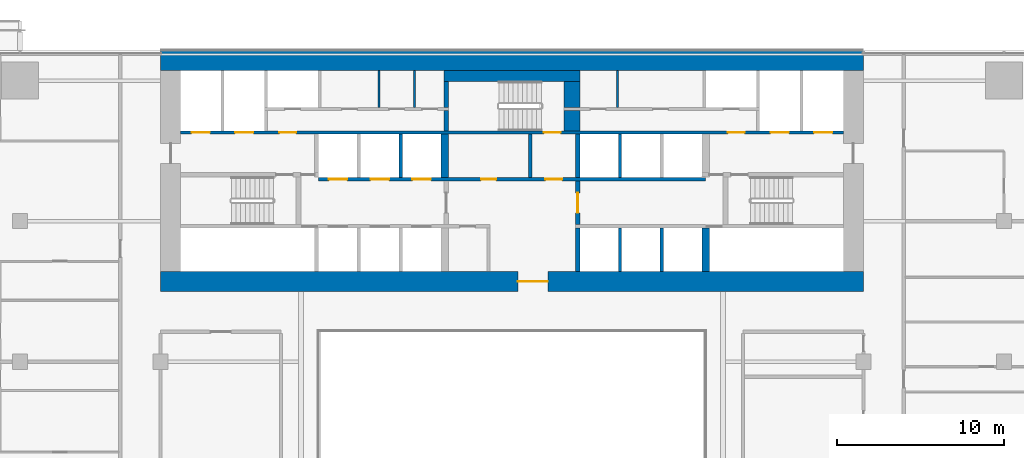
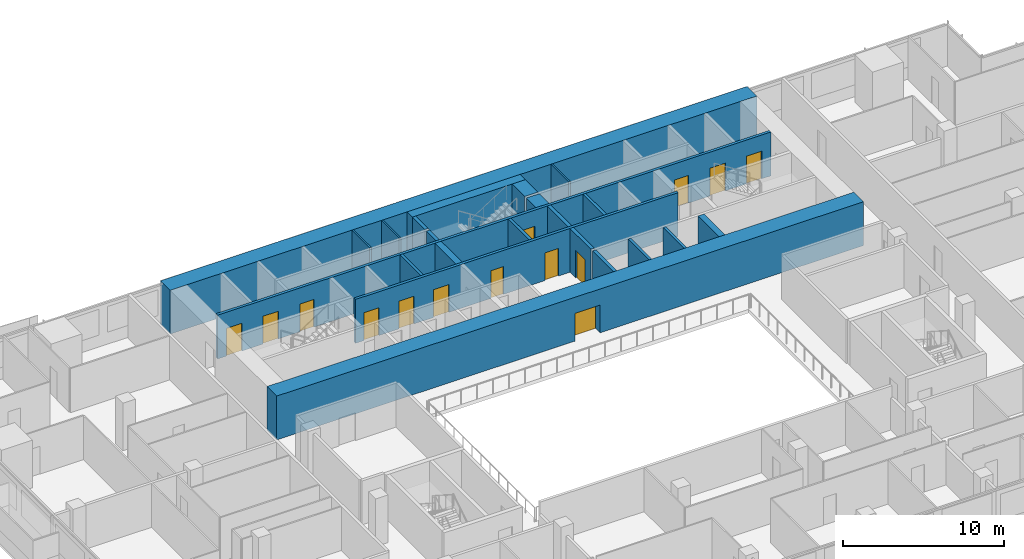
# One storey, part 21 of 29: 22 walls, 14 doors, 14 openings.
"""IFC4 building model written with IfcOpenShell, lengths in metres."""

from ifc_helpers import new_model, si_unit, direction, frame, frame_2d, origin, place, context, subcontext, project, spatial, rectangle, extrude, material, layer, layer_set, type_object, element, fill, save


model = new_model("IFC4")

# Units and contexts
model_context = context("Model", 3, precision=1e-05, world=origin(), true_north=direction((0.0, 1.0)))
body_context = subcontext(model_context, "Body", "Model", "MODEL_VIEW")
ifc_project = project(units=[si_unit("LENGTHUNIT", "METRE"), si_unit("AREAUNIT", "SQUARE_METRE"), si_unit("VOLUMEUNIT", "CUBIC_METRE"), si_unit("PLANEANGLEUNIT", "RADIAN"), si_unit("MASSUNIT", "GRAM", prefix="KILO")], contexts=[model_context])

# Site, building, storey
site_placement = place(None, origin())
site = spatial("IfcSite", under=ifc_project, at=site_placement, CompositionType="ELEMENT")
building_placement = place(site_placement, origin())
building = spatial("IfcBuilding", under=site, at=building_placement, Name="Saffron Gate Tower", CompositionType="ELEMENT")
storey_placement = place(building_placement, frame((0.0, 0.0, 48.0)))
storey = spatial("IfcBuildingStorey", under=building, at=storey_placement, Name="L10", CompositionType="ELEMENT", Elevation=48.0)

# Wall, opening, door
ifc_material_1 = material(Name="Concrete C70", Category="concrete")
ifc_layer_1 = layer(ifc_material_1, 1.199951171875)
ifc_layer_set_1 = layer_set([ifc_layer_1], Name="CW1 RC core wall 1200 C70")
wall_type_1 = type_object("IfcWallType", Name="CW1 RC core wall 1200 C70", PredefinedType="SOLIDWALL", material=ifc_layer_set_1)
wall_1_placement = place(storey_placement, frame((66.60009765625, 61.800048828125, 0.0), z_axis=(0.0, 0.0, 1.0), x_axis=(1.0, 0.0, 0.0)))
wall_1 = element("IfcWall", 1, at=wall_1_placement, inside=storey, type_object=wall_type_1, Name="Wall CW1-L10-1", PredefinedType="SOLIDWALL", context=body_context, shape_type="SweptSolid", body=[
    extrude(rectangle(XDim=42.0, YDim=1.199951171875, at=frame_2d((21.0, 0.0))), origin(), (0.0, 0.0, 1.0), 3.320068359375),
])
opening_1_placement = place(wall_1_placement, frame((21.35009765625, 0.0, 0.0)))
opening_1 = element("IfcOpeningElement", 2, at=opening_1_placement, cuts=wall_1, Name="Opening CR-09", PredefinedType="OPENING", context=body_context, shape_type="SweptSolid", body=[
    extrude(rectangle(XDim=1.800048828125, YDim=2.10009765625, at=frame_2d((0.89990234375, 1.050048828125))), frame((0.0, 0.60986328125, 0.0), z_axis=(0.0, -1.0, 0.0), x_axis=(1.0, 0.0, 0.0)), (0.0, 0.0, 1.0), 1.219970703125),
])
ifc_material_2 = material(Name="Steel fire door set", Category="steel")
door_type_1 = type_object("IfcDoorType", Name="CD1 Core entrance door 1800x2100 EI 120", OperationType="NOTDEFINED", PredefinedType="DOOR", material=ifc_material_2)
door_1_placement = place(opening_1_placement, origin())
door_1 = element("IfcDoor", 3, at=door_1_placement, inside=storey, type_object=door_type_1, Name="DOOR CR-09", OperationType="DOUBLE_DOOR_SINGLE_SWING", OverallHeight=2.10009765625, OverallWidth=1.800048828125, PredefinedType="DOOR", context=body_context, shape_type="SweptSolid", body=[
    extrude(rectangle(XDim=1.800048828125, YDim=2.10009765625, at=frame_2d((0.89990234375, 1.050048828125))), frame((0.0, 0.02490234375, 0.0), z_axis=(0.0, -1.0, 0.0), x_axis=(1.0, 0.0, 0.0)), (0.0, 0.0, 1.0), 0.050048828125),
])
fill(opening_1, door_1)

# Walls
wall_2_placement = place(storey_placement, frame((66.60009765625, 75.0, 0.0), z_axis=(0.0, 0.0, 1.0), x_axis=(1.0, 0.0, 0.0)))
element("IfcWall", 4, at=wall_2_placement, inside=storey, type_object=wall_type_1, Name="Wall CW1-L10-2", PredefinedType="SOLIDWALL", context=body_context, shape_type="SweptSolid", body=[
    extrude(rectangle(XDim=42.0, YDim=1.199951171875, at=frame_2d((21.0, 0.0))), origin(), (0.0, 0.0, 1.0), 3.320068359375),
])
ifc_material_3 = material(Name="Gypsum board partition on steel studs", Category="steel")
ifc_layer_2 = layer(ifc_material_3, 0.199951171875)
ifc_layer_set_2 = layer_set([ifc_layer_2], Name="CW10 Core partition 200")
wall_type_2 = type_object("IfcWallType", Name="CW10 Core partition 200", PredefinedType="PARTITIONING", material=ifc_layer_set_2)
wall_3_placement = place(storey_placement, frame((88.699951171875, 68.0, 0.0), z_axis=(0.0, 0.0, 1.0), x_axis=(0.0, 1.0, 0.0)))
element("IfcWall", 5, at=wall_3_placement, inside=storey, type_object=wall_type_2, Name="Wall CW10-L10-24", PredefinedType="PARTITIONING", context=body_context, shape_type="SweptSolid", body=[
    extrude(rectangle(XDim=2.60009765625, YDim=0.199951171875, at=frame_2d((1.300048828125, 0.0))), origin(), (0.0, 0.0, 1.0), 3.320068359375),
])
ifc_layer_3 = layer(ifc_material_1, 0.25)
ifc_layer_set_3 = layer_set([ifc_layer_3], Name="CW2 RC core wall 250 C70")
wall_type_3 = type_object("IfcWallType", Name="CW2 RC core wall 250 C70", PredefinedType="SOLIDWALL", material=ifc_layer_set_3)
wall_4_placement = place(storey_placement, frame((91.52490234375, 62.39990234375, 0.0), z_axis=(0.0, 0.0, 1.0), x_axis=(0.0, 1.0, 0.0)))
element("IfcWall", 6, at=wall_4_placement, inside=storey, type_object=wall_type_3, Name="Wall CW2-L10-10", PredefinedType="SOLIDWALL", context=body_context, shape_type="SweptSolid", body=[
    extrude(rectangle(XDim=2.60009765625, YDim=0.25, at=frame_2d((1.300048828125, 0.0))), origin(), (0.0, 0.0, 1.0), 3.320068359375),
])

# Wall, opening, door
wall_5_placement = place(storey_placement, frame((91.52490234375, 65.199951171875, 0.0), z_axis=(0.0, 0.0, 1.0), x_axis=(0.0, 1.0, 0.0)))
wall_5 = element("IfcWall", 7, at=wall_5_placement, inside=storey, type_object=wall_type_3, Name="Wall CW2-L10-18", PredefinedType="SOLIDWALL", context=body_context, shape_type="SweptSolid", body=[
    extrude(rectangle(XDim=2.60009765625, YDim=0.25, at=frame_2d((1.300048828125, 0.0))), origin(), (0.0, 0.0, 1.0), 3.320068359375),
])
opening_2_placement = place(wall_5_placement, frame((0.699951171875, 0.0, 0.0)))
opening_2 = element("IfcOpeningElement", 8, at=opening_2_placement, cuts=wall_5, Name="Opening CR-01", PredefinedType="OPENING", context=body_context, shape_type="SweptSolid", body=[
    extrude(rectangle(XDim=1.199951171875, YDim=2.10009765625, at=frame_2d((0.60009765625, 1.050048828125))), frame((0.0, 0.135009765625, 0.0), z_axis=(0.0, -1.0, 0.0), x_axis=(1.0, 0.0, 0.0)), (0.0, 0.0, 1.0), 0.27001953125),
])
door_type_2 = type_object("IfcDoorType", Name="CD3 Lobby door 1200x2100 EI 120", OperationType="NOTDEFINED", PredefinedType="DOOR", material=ifc_material_2)
door_2_placement = place(opening_2_placement, origin())
door_2 = element("IfcDoor", 9, at=door_2_placement, inside=storey, type_object=door_type_2, Name="DOOR CR-01", OperationType="SINGLE_SWING_RIGHT", OverallHeight=2.10009765625, OverallWidth=1.199951171875, PredefinedType="DOOR", context=body_context, shape_type="SweptSolid", body=[
    extrude(rectangle(XDim=1.199951171875, YDim=2.10009765625, at=frame_2d((0.60009765625, 1.050048828125))), frame((0.0, 0.02490234375, 0.0), z_axis=(0.0, -1.0, 0.0), x_axis=(1.0, 0.0, 0.0)), (0.0, 0.0, 1.0), 0.050048828125),
])
fill(opening_2, door_2)

# Walls
wall_6_placement = place(storey_placement, frame((91.52490234375, 68.0, 0.0), z_axis=(0.0, 0.0, 1.0), x_axis=(0.0, 1.0, 0.0)))
element("IfcWall", 10, at=wall_6_placement, inside=storey, type_object=wall_type_3, Name="Wall CW2-L10-25", PredefinedType="SOLIDWALL", context=body_context, shape_type="SweptSolid", body=[
    extrude(rectangle(XDim=2.60009765625, YDim=0.25, at=frame_2d((1.300048828125, 0.0))), origin(), (0.0, 0.0, 1.0), 3.320068359375),
])
wall_7_placement = place(storey_placement, frame((83.675048828125, 70.800048828125, 0.0), z_axis=(0.0, 0.0, 1.0), x_axis=(0.0, 1.0, 0.0)))
element("IfcWall", 11, at=wall_7_placement, inside=storey, type_object=wall_type_3, Name="Wall CW2-L10-36", PredefinedType="SOLIDWALL", context=body_context, shape_type="SweptSolid", body=[
    extrude(rectangle(XDim=1.199951171875, YDim=0.25, at=frame_2d((0.60009765625, 0.0))), origin(), (0.0, 0.0, 1.0), 3.320068359375),
])
wall_8_placement = place(storey_placement, frame((83.675048828125, 72.199951171875, 0.0), z_axis=(0.0, 0.0, 1.0), x_axis=(0.0, 1.0, 0.0)))
element("IfcWall", 12, at=wall_8_placement, inside=storey, type_object=wall_type_3, Name="Wall CW2-L10-46", PredefinedType="SOLIDWALL", context=body_context, shape_type="SweptSolid", body=[
    extrude(rectangle(XDim=1.550048828125, YDim=0.25, at=frame_2d((0.77490234375, 0.0))), origin(), (0.0, 0.0, 1.0), 3.320068359375),
])
ifc_layer_4 = layer(ifc_material_1, 0.199951171875)
ifc_layer_set_4 = layer_set([ifc_layer_4], Name="CW3 RC core wall 200 C70")
wall_type_4 = type_object("IfcWallType", Name="CW3 RC core wall 200 C70", PredefinedType="SOLIDWALL", material=ifc_layer_set_4)
for number, where, z_axis, x_axis, name in (
    (13, (94.050048828125, 62.39990234375, 0.0), (0.0, 0.0, 1.0), (0.0, 1.0, 0.0), "Wall CW3-L10-11"),
    (14, (96.550048828125, 62.39990234375, 0.0), (0.0, 0.0, 1.0), (0.0, 1.0, 0.0), "Wall CW3-L10-12"),
):
    element("IfcWall", number, at=place(storey_placement, frame(where, z_axis=z_axis, x_axis=x_axis)), inside=storey, type_object=wall_type_4, Name=name, PredefinedType="SOLIDWALL", context=body_context, shape_type="SweptSolid", body=[
        extrude(rectangle(XDim=2.60009765625, YDim=0.199951171875, at=frame_2d((1.300048828125, 0.0))), origin(), (0.0, 0.0, 1.0), 3.320068359375),
    ])

# Wall, openings, doors
wall_9_placement = place(storey_placement, frame((76.050048828125, 67.89990234375, 0.0), z_axis=(0.0, 0.0, 1.0), x_axis=(1.0, 0.0, 0.0)))
wall_9 = element("IfcWall", 15, at=wall_9_placement, inside=storey, type_object=wall_type_4, Name="Wall CW3-L10-20", PredefinedType="SOLIDWALL", context=body_context, shape_type="SweptSolid", body=[
    extrude(rectangle(XDim=23.099853515625, YDim=0.199951171875, at=frame_2d((11.5498046875, 0.0))), origin(), (0.0, 0.0, 1.0), 3.320068359375),
])
opening_3_placement = place(wall_9_placement, frame((0.60009765625, 0.0, 0.0)))
opening_3 = element("IfcOpeningElement", 16, at=opening_3_placement, cuts=wall_9, Name="Opening LD-LR4", PredefinedType="OPENING", context=body_context, shape_type="SweptSolid", body=[
    extrude(rectangle(XDim=1.10009765625, YDim=2.10009765625, at=frame_2d((0.550048828125, 1.050048828125))), frame((0.0, 0.10986328125, 0.0), z_axis=(0.0, -1.0, 0.0), x_axis=(1.0, 0.0, 0.0)), (0.0, 0.0, 1.0), 0.219970703125),
])
opening_4_placement = place(wall_9_placement, frame((3.10009765625, 0.0, 0.0)))
opening_4 = element("IfcOpeningElement", 17, at=opening_4_placement, cuts=wall_9, Name="Opening LD-LR5", PredefinedType="OPENING", context=body_context, shape_type="SweptSolid", body=[
    extrude(rectangle(XDim=1.10009765625, YDim=2.10009765625, at=frame_2d((0.550048828125, 1.050048828125))), frame((0.0, 0.10986328125, 0.0), z_axis=(0.0, -1.0, 0.0), x_axis=(1.0, 0.0, 0.0)), (0.0, 0.0, 1.0), 0.219970703125),
])
opening_5_placement = place(wall_9_placement, frame((5.60009765625, 0.0, 0.0)))
opening_5 = element("IfcOpeningElement", 18, at=opening_5_placement, cuts=wall_9, Name="Opening LD-LR6", PredefinedType="OPENING", context=body_context, shape_type="SweptSolid", body=[
    extrude(rectangle(XDim=1.10009765625, YDim=2.10009765625, at=frame_2d((0.550048828125, 1.050048828125))), frame((0.0, 0.10986328125, 0.0), z_axis=(0.0, -1.0, 0.0), x_axis=(1.0, 0.0, 0.0)), (0.0, 0.0, 1.0), 0.219970703125),
])
opening_6_placement = place(wall_9_placement, frame((9.699951171875, 0.0, 0.0)))
opening_6 = element("IfcOpeningElement", 19, at=opening_6_placement, cuts=wall_9, Name="Opening CR-67", PredefinedType="OPENING", context=body_context, shape_type="SweptSolid", body=[
    extrude(rectangle(XDim=0.89990234375, YDim=2.10009765625, at=frame_2d((0.449951171875, 1.050048828125))), frame((0.0, 0.10986328125, 0.0), z_axis=(0.0, -1.0, 0.0), x_axis=(1.0, 0.0, 0.0)), (0.0, 0.0, 1.0), 0.219970703125),
])
opening_7_placement = place(wall_9_placement, frame((13.550048828125, 0.0, 0.0)))
opening_7 = element("IfcOpeningElement", 20, at=opening_7_placement, cuts=wall_9, Name="Opening CR-02", PredefinedType="OPENING", context=body_context, shape_type="SweptSolid", body=[
    extrude(rectangle(XDim=1.0, YDim=2.10009765625, at=frame_2d((0.5, 1.050048828125))), frame((0.0, 0.10986328125, 0.0), z_axis=(0.0, -1.0, 0.0), x_axis=(1.0, 0.0, 0.0)), (0.0, 0.0, 1.0), 0.219970703125),
])
door_type_3 = type_object("IfcDoorType", Name="CD4 Lobby door 1000x2100 EI 120", OperationType="NOTDEFINED", PredefinedType="DOOR", material=ifc_material_2)
door_3_placement = place(opening_7_placement, origin())
door_3 = element("IfcDoor", 21, at=door_3_placement, inside=storey, type_object=door_type_3, Name="DOOR CR-02", OperationType="SINGLE_SWING_LEFT", OverallHeight=2.10009765625, OverallWidth=1.0, PredefinedType="DOOR", context=body_context, shape_type="SweptSolid", body=[
    extrude(rectangle(XDim=1.0, YDim=2.10009765625, at=frame_2d((0.5, 1.050048828125))), frame((0.0, 0.02490234375, 0.0), z_axis=(0.0, -1.0, 0.0), x_axis=(1.0, 0.0, 0.0)), (0.0, 0.0, 1.0), 0.050048828125),
])
fill(opening_7, door_3)
door_type_4 = type_object("IfcDoorType", Name="CD9 Room door 900x2100 EI 60", OperationType="NOTDEFINED", PredefinedType="DOOR", material=ifc_material_2)
door_4_placement = place(opening_6_placement, origin())
door_4 = element("IfcDoor", 22, at=door_4_placement, inside=storey, type_object=door_type_4, Name="DOOR CR-67", OperationType="SINGLE_SWING_LEFT", OverallHeight=2.10009765625, OverallWidth=0.89990234375, PredefinedType="DOOR", context=body_context, shape_type="SweptSolid", body=[
    extrude(rectangle(XDim=0.89990234375, YDim=2.10009765625, at=frame_2d((0.449951171875, 1.050048828125))), frame((0.0, 0.02490234375, 0.0), z_axis=(0.0, -1.0, 0.0), x_axis=(1.0, 0.0, 0.0)), (0.0, 0.0, 1.0), 0.050048828125),
])
fill(opening_6, door_4)
ifc_material_4 = material(Name="Stainless steel landing door", Category="steel")
door_type_5 = type_object("IfcDoorType", Name="LD Lift landing door 1100x2100 EI 120", OperationType="SLIDING_TO_LEFT", PredefinedType="DOOR", material=ifc_material_4)
door_5_placement = place(opening_3_placement, origin())
door_5 = element("IfcDoor", 23, at=door_5_placement, inside=storey, type_object=door_type_5, Name="LANDING DOOR LD-LR4", OperationType="SLIDING_TO_RIGHT", OverallHeight=2.10009765625, OverallWidth=1.10009765625, PredefinedType="DOOR", context=body_context, shape_type="SweptSolid", body=[
    extrude(rectangle(XDim=1.10009765625, YDim=2.10009765625, at=frame_2d((0.550048828125, 1.050048828125))), frame((0.0, 0.02490234375, 0.0), z_axis=(0.0, -1.0, 0.0), x_axis=(1.0, 0.0, 0.0)), (0.0, 0.0, 1.0), 0.050048828125),
])
fill(opening_3, door_5)
door_6_placement = place(opening_4_placement, origin())
door_6 = element("IfcDoor", 24, at=door_6_placement, inside=storey, type_object=door_type_5, Name="LANDING DOOR LD-LR5", OperationType="SLIDING_TO_RIGHT", OverallHeight=2.10009765625, OverallWidth=1.10009765625, PredefinedType="DOOR", context=body_context, shape_type="SweptSolid", body=[
    extrude(rectangle(XDim=1.10009765625, YDim=2.10009765625, at=frame_2d((0.550048828125, 1.050048828125))), frame((0.0, 0.02490234375, 0.0), z_axis=(0.0, -1.0, 0.0), x_axis=(1.0, 0.0, 0.0)), (0.0, 0.0, 1.0), 0.050048828125),
])
fill(opening_4, door_6)
door_7_placement = place(opening_5_placement, origin())
door_7 = element("IfcDoor", 25, at=door_7_placement, inside=storey, type_object=door_type_5, Name="LANDING DOOR LD-LR6", OperationType="SLIDING_TO_RIGHT", OverallHeight=2.10009765625, OverallWidth=1.10009765625, PredefinedType="DOOR", context=body_context, shape_type="SweptSolid", body=[
    extrude(rectangle(XDim=1.10009765625, YDim=2.10009765625, at=frame_2d((0.550048828125, 1.050048828125))), frame((0.0, 0.02490234375, 0.0), z_axis=(0.0, -1.0, 0.0), x_axis=(1.0, 0.0, 0.0)), (0.0, 0.0, 1.0), 0.050048828125),
])
fill(opening_5, door_7)

# Walls
for number, where, z_axis, x_axis, name in (
    (26, (80.949951171875, 68.0, 0.0), (0.0, 0.0, 1.0), (0.0, 1.0, 0.0), "Wall CW3-L10-22"),
    (27, (94.050048828125, 68.0, 0.0), (0.0, 0.0, 1.0), (0.0, 1.0, 0.0), "Wall CW3-L10-26"),
):
    element("IfcWall", number, at=place(storey_placement, frame(where, z_axis=z_axis, x_axis=x_axis)), inside=storey, type_object=wall_type_4, Name=name, PredefinedType="SOLIDWALL", context=body_context, shape_type="SweptSolid", body=[
        extrude(rectangle(XDim=2.60009765625, YDim=0.199951171875, at=frame_2d((1.300048828125, 0.0))), origin(), (0.0, 0.0, 1.0), 3.320068359375),
    ])

# Wall, openings, doors
wall_10_placement = place(storey_placement, frame((67.800048828125, 70.699951171875, 0.0), z_axis=(0.0, 0.0, 1.0), x_axis=(1.0, 0.0, 0.0)))
wall_10 = element("IfcWall", 28, at=wall_10_placement, inside=storey, type_object=wall_type_4, Name="Wall CW3-L10-33", PredefinedType="SOLIDWALL", context=body_context, shape_type="SweptSolid", body=[
    extrude(rectangle(XDim=39.599853515625, YDim=0.199951171875, at=frame_2d((19.7998046875, 0.0))), origin(), (0.0, 0.0, 1.0), 3.320068359375),
])
opening_8_placement = place(wall_10_placement, frame((0.64990234375, 0.0, 0.0)))
opening_8 = element("IfcOpeningElement", 29, at=opening_8_placement, cuts=wall_10, Name="Opening LD-FF1", PredefinedType="OPENING", context=body_context, shape_type="SweptSolid", body=[
    extrude(rectangle(XDim=1.10009765625, YDim=2.10009765625, at=frame_2d((0.550048828125, 1.050048828125))), frame((0.0, 0.10986328125, 0.0), z_axis=(0.0, -1.0, 0.0), x_axis=(1.0, 0.0, 0.0)), (0.0, 0.0, 1.0), 0.219970703125),
])
opening_9_placement = place(wall_10_placement, frame((3.25, 0.0, 0.0)))
opening_9 = element("IfcOpeningElement", 30, at=opening_9_placement, cuts=wall_10, Name="Opening LD-SV1", PredefinedType="OPENING", context=body_context, shape_type="SweptSolid", body=[
    extrude(rectangle(XDim=1.10009765625, YDim=2.10009765625, at=frame_2d((0.550048828125, 1.050048828125))), frame((0.0, 0.10986328125, 0.0), z_axis=(0.0, -1.0, 0.0), x_axis=(1.0, 0.0, 0.0)), (0.0, 0.0, 1.0), 0.219970703125),
])
opening_10_placement = place(wall_10_placement, frame((5.89990234375, 0.0, 0.0)))
opening_10 = element("IfcOpeningElement", 31, at=opening_10_placement, cuts=wall_10, Name="Opening CR-03", PredefinedType="OPENING", context=body_context, shape_type="SweptSolid", body=[
    extrude(rectangle(XDim=1.0, YDim=2.10009765625, at=frame_2d((0.5, 1.050048828125))), frame((0.0, 0.10986328125, 0.0), z_axis=(0.0, -1.0, 0.0), x_axis=(1.0, 0.0, 0.0)), (0.0, 0.0, 1.0), 0.219970703125),
])
opening_11_placement = place(wall_10_placement, frame((21.699951171875, 0.0, 0.0)))
opening_11 = element("IfcOpeningElement", 32, at=opening_11_placement, cuts=wall_10, Name="Opening CR-17", PredefinedType="OPENING", context=body_context, shape_type="SweptSolid", body=[
    extrude(rectangle(XDim=1.0, YDim=2.10009765625, at=frame_2d((0.5, 1.050048828125))), frame((0.0, 0.10986328125, 0.0), z_axis=(0.0, -1.0, 0.0), x_axis=(1.0, 0.0, 0.0)), (0.0, 0.0, 1.0), 0.219970703125),
])
opening_12_placement = place(wall_10_placement, frame((32.699951171875, 0.0, 0.0)))
opening_12 = element("IfcOpeningElement", 33, at=opening_12_placement, cuts=wall_10, Name="Opening CR-04", PredefinedType="OPENING", context=body_context, shape_type="SweptSolid", body=[
    extrude(rectangle(XDim=1.0, YDim=2.10009765625, at=frame_2d((0.5, 1.050048828125))), frame((0.0, 0.10986328125, 0.0), z_axis=(0.0, -1.0, 0.0), x_axis=(1.0, 0.0, 0.0)), (0.0, 0.0, 1.0), 0.219970703125),
])
opening_13_placement = place(wall_10_placement, frame((35.25, 0.0, 0.0)))
opening_13 = element("IfcOpeningElement", 34, at=opening_13_placement, cuts=wall_10, Name="Opening LD-SV2", PredefinedType="OPENING", context=body_context, shape_type="SweptSolid", body=[
    extrude(rectangle(XDim=1.10009765625, YDim=2.10009765625, at=frame_2d((0.550048828125, 1.050048828125))), frame((0.0, 0.10986328125, 0.0), z_axis=(0.0, -1.0, 0.0), x_axis=(1.0, 0.0, 0.0)), (0.0, 0.0, 1.0), 0.219970703125),
])
opening_14_placement = place(wall_10_placement, frame((37.85009765625, 0.0, 0.0)))
opening_14 = element("IfcOpeningElement", 35, at=opening_14_placement, cuts=wall_10, Name="Opening LD-FF2", PredefinedType="OPENING", context=body_context, shape_type="SweptSolid", body=[
    extrude(rectangle(XDim=1.10009765625, YDim=2.10009765625, at=frame_2d((0.550048828125, 1.050048828125))), frame((0.0, 0.10986328125, 0.0), z_axis=(0.0, -1.0, 0.0), x_axis=(1.0, 0.0, 0.0)), (0.0, 0.0, 1.0), 0.219970703125),
])
door_8_placement = place(opening_10_placement, origin())
door_8 = element("IfcDoor", 36, at=door_8_placement, inside=storey, type_object=door_type_3, Name="DOOR CR-03", OperationType="SINGLE_SWING_LEFT", OverallHeight=2.10009765625, OverallWidth=1.0, PredefinedType="DOOR", context=body_context, shape_type="SweptSolid", body=[
    extrude(rectangle(XDim=1.0, YDim=2.10009765625, at=frame_2d((0.5, 1.050048828125))), frame((0.0, 0.02490234375, 0.0), z_axis=(0.0, -1.0, 0.0), x_axis=(1.0, 0.0, 0.0)), (0.0, 0.0, 1.0), 0.050048828125),
])
fill(opening_10, door_8)
door_9_placement = place(opening_12_placement, origin())
door_9 = element("IfcDoor", 37, at=door_9_placement, inside=storey, type_object=door_type_3, Name="DOOR CR-04", OperationType="SINGLE_SWING_RIGHT", OverallHeight=2.10009765625, OverallWidth=1.0, PredefinedType="DOOR", context=body_context, shape_type="SweptSolid", body=[
    extrude(rectangle(XDim=1.0, YDim=2.10009765625, at=frame_2d((0.5, 1.050048828125))), frame((0.0, 0.02490234375, 0.0), z_axis=(0.0, -1.0, 0.0), x_axis=(1.0, 0.0, 0.0)), (0.0, 0.0, 1.0), 0.050048828125),
])
fill(opening_12, door_9)
door_type_6 = type_object("IfcDoorType", Name="CD5 Stair door 1000x2100 EI 120", OperationType="NOTDEFINED", PredefinedType="DOOR", material=ifc_material_2)
door_10_placement = place(opening_11_placement, origin())
door_10 = element("IfcDoor", 38, at=door_10_placement, inside=storey, type_object=door_type_6, Name="DOOR CR-17", OperationType="SINGLE_SWING_RIGHT", OverallHeight=2.10009765625, OverallWidth=1.0, PredefinedType="DOOR", context=body_context, shape_type="SweptSolid", body=[
    extrude(rectangle(XDim=1.0, YDim=2.10009765625, at=frame_2d((0.5, 1.050048828125))), frame((0.0, 0.02490234375, 0.0), z_axis=(0.0, -1.0, 0.0), x_axis=(1.0, 0.0, 0.0)), (0.0, 0.0, 1.0), 0.050048828125),
])
fill(opening_11, door_10)
door_11_placement = place(opening_8_placement, origin())
door_11 = element("IfcDoor", 39, at=door_11_placement, inside=storey, type_object=door_type_5, Name="LANDING DOOR LD-FF1", OperationType="SLIDING_TO_RIGHT", OverallHeight=2.10009765625, OverallWidth=1.10009765625, PredefinedType="DOOR", context=body_context, shape_type="SweptSolid", body=[
    extrude(rectangle(XDim=1.10009765625, YDim=2.10009765625, at=frame_2d((0.550048828125, 1.050048828125))), frame((0.0, 0.02490234375, 0.0), z_axis=(0.0, -1.0, 0.0), x_axis=(1.0, 0.0, 0.0)), (0.0, 0.0, 1.0), 0.050048828125),
])
fill(opening_8, door_11)
door_12_placement = place(opening_9_placement, origin())
door_12 = element("IfcDoor", 40, at=door_12_placement, inside=storey, type_object=door_type_5, Name="LANDING DOOR LD-SV1", OperationType="SLIDING_TO_RIGHT", OverallHeight=2.10009765625, OverallWidth=1.10009765625, PredefinedType="DOOR", context=body_context, shape_type="SweptSolid", body=[
    extrude(rectangle(XDim=1.10009765625, YDim=2.10009765625, at=frame_2d((0.550048828125, 1.050048828125))), frame((0.0, 0.02490234375, 0.0), z_axis=(0.0, -1.0, 0.0), x_axis=(1.0, 0.0, 0.0)), (0.0, 0.0, 1.0), 0.050048828125),
])
fill(opening_9, door_12)
door_13_placement = place(opening_13_placement, origin())
door_13 = element("IfcDoor", 41, at=door_13_placement, inside=storey, type_object=door_type_5, Name="LANDING DOOR LD-SV2", OperationType="SLIDING_TO_RIGHT", OverallHeight=2.10009765625, OverallWidth=1.10009765625, PredefinedType="DOOR", context=body_context, shape_type="SweptSolid", body=[
    extrude(rectangle(XDim=1.10009765625, YDim=2.10009765625, at=frame_2d((0.550048828125, 1.050048828125))), frame((0.0, 0.02490234375, 0.0), z_axis=(0.0, -1.0, 0.0), x_axis=(1.0, 0.0, 0.0)), (0.0, 0.0, 1.0), 0.050048828125),
])
fill(opening_13, door_13)
door_14_placement = place(opening_14_placement, origin())
door_14 = element("IfcDoor", 42, at=door_14_placement, inside=storey, type_object=door_type_5, Name="LANDING DOOR LD-FF2", OperationType="SLIDING_TO_RIGHT", OverallHeight=2.10009765625, OverallWidth=1.10009765625, PredefinedType="DOOR", context=body_context, shape_type="SweptSolid", body=[
    extrude(rectangle(XDim=1.10009765625, YDim=2.10009765625, at=frame_2d((0.550048828125, 1.050048828125))), frame((0.0, 0.02490234375, 0.0), z_axis=(0.0, -1.0, 0.0), x_axis=(1.0, 0.0, 0.0)), (0.0, 0.0, 1.0), 0.050048828125),
])
fill(opening_14, door_14)

# Walls
ifc_layer_5 = layer(ifc_material_1, 0.449951171875)
ifc_layer_set_5 = layer_set([ifc_layer_5], Name="CW4 RC core wall 450 C70")
wall_type_5 = type_object("IfcWallType", Name="CW4 RC core wall 450 C70", PredefinedType="SOLIDWALL", material=ifc_layer_set_5)
for number, where, z_axis, x_axis, name in (
    (43, (99.175048828125, 62.39990234375, 0.0), (0.0, 0.0, 1.0), (0.0, 1.0, 0.0), "Wall CW4-L10-13"),
    (44, (83.574951171875, 68.0, 0.0), (0.0, 0.0, 1.0), (0.0, 1.0, 0.0), "Wall CW4-L10-23"),
):
    element("IfcWall", number, at=place(storey_placement, frame(where, z_axis=z_axis, x_axis=x_axis)), inside=storey, type_object=wall_type_5, Name=name, PredefinedType="SOLIDWALL", context=body_context, shape_type="SweptSolid", body=[
        extrude(rectangle(XDim=2.60009765625, YDim=0.449951171875, at=frame_2d((1.300048828125, 0.0))), origin(), (0.0, 0.0, 1.0), 3.320068359375),
    ])
ifc_layer_6 = layer(ifc_material_1, 0.949951171875)
ifc_layer_set_6 = layer_set([ifc_layer_6], Name="CW7 RC core wall 950 C70")
wall_type_6 = type_object("IfcWallType", Name="CW7 RC core wall 950 C70", PredefinedType="SOLIDWALL", material=ifc_layer_set_6)
wall_11_placement = place(storey_placement, frame((91.175048828125, 70.800048828125, 0.0), z_axis=(0.0, 0.0, 1.0), x_axis=(0.0, 1.0, 0.0)))
element("IfcWall", 45, at=wall_11_placement, inside=storey, type_object=wall_type_6, Name="Wall CW7-L10-37", PredefinedType="SOLIDWALL", context=body_context, shape_type="SweptSolid", body=[
    extrude(rectangle(XDim=1.199951171875, YDim=0.949951171875, at=frame_2d((0.60009765625, 0.0))), origin(), (0.0, 0.0, 1.0), 3.320068359375),
])
wall_12_placement = place(storey_placement, frame((91.175048828125, 72.199951171875, 0.0), z_axis=(0.0, 0.0, 1.0), x_axis=(0.0, 1.0, 0.0)))
element("IfcWall", 46, at=wall_12_placement, inside=storey, type_object=wall_type_6, Name="Wall CW7-L10-47", PredefinedType="SOLIDWALL", context=body_context, shape_type="SweptSolid", body=[
    extrude(rectangle(XDim=1.550048828125, YDim=0.949951171875, at=frame_2d((0.77490234375, 0.0))), origin(), (0.0, 0.0, 1.0), 3.320068359375),
])
ifc_layer_7 = layer(ifc_material_3, 0.1201171875)
ifc_layer_set_7 = layer_set([ifc_layer_7], Name="CW8 Core partition 120")
wall_type_7 = type_object("IfcWallType", Name="CW8 Core partition 120", PredefinedType="PARTITIONING", material=ifc_layer_set_7)
for number, where, z_axis, x_axis, name in (
    (47, (79.659912109375, 72.199951171875, 0.0), (0.0, 0.0, 1.0), (0.0, 1.0, 0.0), "Wall CW8-L10-44"),
    (48, (81.780029296875, 72.199951171875, 0.0), (0.0, 0.0, 1.0), (0.0, 1.0, 0.0), "Wall CW8-L10-45"),
    (49, (93.909912109375, 72.199951171875, 0.0), (0.0, 0.0, 1.0), (0.0, 1.0, 0.0), "Wall CW8-L10-48"),
):
    element("IfcWall", number, at=place(storey_placement, frame(where, z_axis=z_axis, x_axis=x_axis)), inside=storey, type_object=wall_type_7, Name=name, PredefinedType="PARTITIONING", context=body_context, shape_type="SweptSolid", body=[
        extrude(rectangle(XDim=2.199951171875, YDim=0.1201171875, at=frame_2d((1.10009765625, 0.0))), origin(), (0.0, 0.0, 1.0), 3.320068359375),
    ])
ifc_layer_8 = layer(ifc_material_1, 0.64990234375)
ifc_layer_set_8 = layer_set([ifc_layer_8], Name="CW9 RC core wall 650 C70")
wall_type_8 = type_object("IfcWallType", Name="CW9 RC core wall 650 C70", PredefinedType="SOLIDWALL", material=ifc_layer_set_8)
wall_13_placement = place(storey_placement, frame((83.550048828125, 74.074951171875, 0.0), z_axis=(0.0, 0.0, 1.0), x_axis=(1.0, 0.0, 0.0)))
element("IfcWall", 50, at=wall_13_placement, inside=storey, type_object=wall_type_8, Name="Wall CW9-L10-51", PredefinedType="SOLIDWALL", context=body_context, shape_type="SweptSolid", body=[
    extrude(rectangle(XDim=8.099853515625, YDim=0.64990234375, at=frame_2d((4.0498046875, 0.0))), origin(), (0.0, 0.0, 1.0), 3.320068359375),
])

save(model, "model.ifc")
